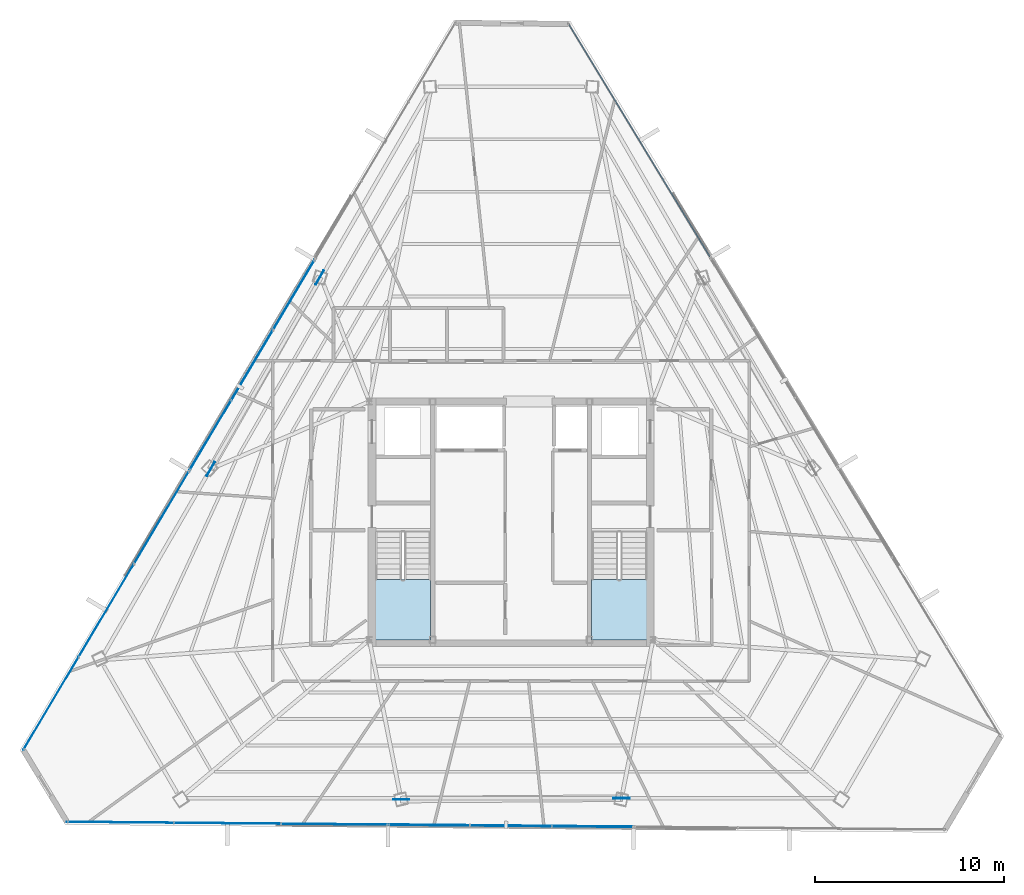
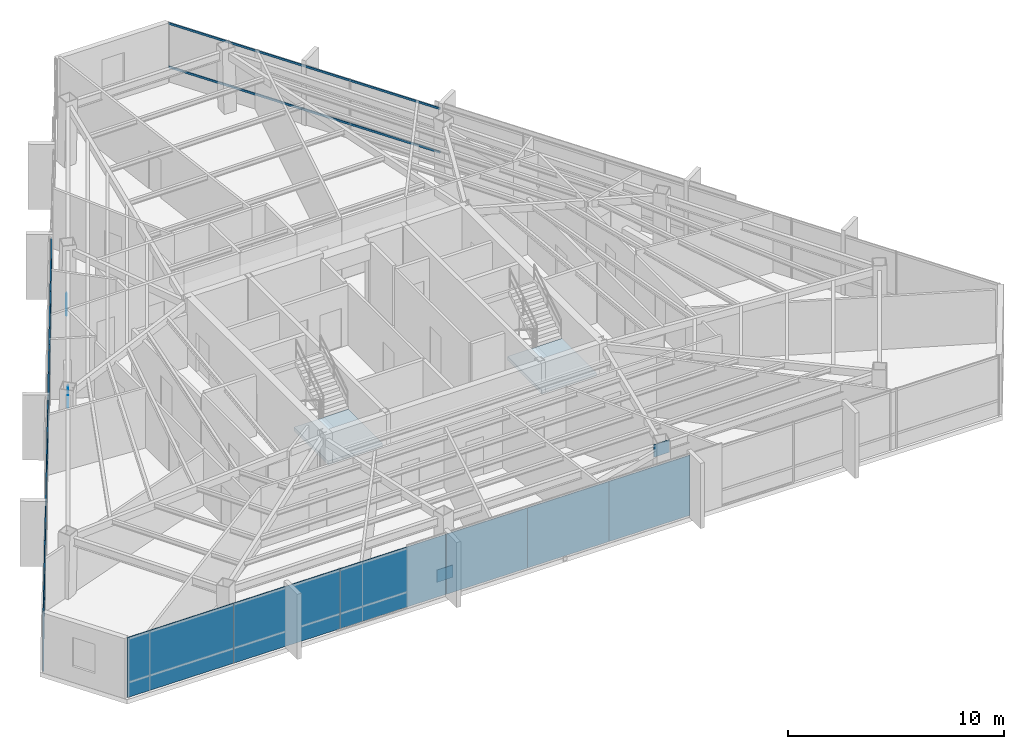
# One storey, part 37 of 46: 16 plates, 2 members, 2 slabs, 7 elements without a shape of their own.
"""IFC4 building model written with IfcOpenShell, lengths in metres."""

from ifc_helpers import new_model, si_unit, direction, frame, origin, origin_2d, place, context, subcontext, project, spatial, polyline, rectangle, hollow_rectangle, outline, extrude, source, transform, mapped, material, layer, layer_set, material_profile, profile_set, type_object, type_shapes, element, aggregate, save


model = new_model("IFC4")

# Units and contexts
model_context = context("Model", 3, precision=1e-05, world=origin(), true_north=direction((0.0, 1.0)))
body_context = subcontext(model_context, "Body", "Model", "MODEL_VIEW")
ifc_project = project(units=[si_unit("LENGTHUNIT", "METRE"), si_unit("AREAUNIT", "SQUARE_METRE"), si_unit("VOLUMEUNIT", "CUBIC_METRE"), si_unit("PLANEANGLEUNIT", "RADIAN"), si_unit("MASSUNIT", "GRAM", prefix="KILO")], contexts=[model_context])

# Site, building, storey
site_placement = place(None, origin())
site = spatial("IfcSite", under=ifc_project, at=site_placement, CompositionType="ELEMENT")
building_placement = place(site_placement, origin())
building = spatial("IfcBuilding", under=site, at=building_placement, Name="Caelisora Broadcast Tower", CompositionType="ELEMENT")
storey_placement = place(building_placement, frame((0.0, 0.0, 237.14990234375)))
storey = spatial("IfcBuildingStorey", under=building, at=storey_placement, Name="L62", CompositionType="ELEMENT", Elevation=237.14990234375)

# Curtain wall, members
ifc_material_1 = material(Name="Unitised Aluminium and Low-E Glass Curtain Wall", Category="glass")
curtain_wall_type_1 = type_object("IfcCurtainWallType", Name="CW-Z5", PredefinedType="NOTDEFINED", material=ifc_material_1)
curtain_wall_1_placement = place(storey_placement, origin())
curtain_wall_1 = element("IfcCurtainWall", 1, at=curtain_wall_1_placement, inside=storey, type_object=curtain_wall_type_1, Name="L62 curtain wall CW-Z5", PredefinedType="NOTDEFINED")
ifc_material_2 = material(Name="Aluminium 6063-T6 Anodised Terracotta Bronze", Category="aluminium")
ifc_material_profile = material_profile(ifc_material_2, hollow_rectangle(XDim=0.06005859375, YDim=0.1201171875, WallThickness=0.0029296875, at=origin_2d()), Name="Aluminium 6063-T6 Anodised Terracotta Bronze")
ifc_profile_set = profile_set([ifc_material_profile], Name="Aluminium 6063-T6 Anodised Terracotta Bronze")
member_type = type_object("IfcMemberType", Name="CWT-03", PredefinedType="USERDEFINED", material=ifc_profile_set)
shared_shape_1 = source(origin(), body_context, "Body", "SweptSolid", [
    extrude(hollow_rectangle(XDim=0.06005859375, YDim=0.1201171875, WallThickness=0.0029296875, at=origin_2d()), origin(), (0.0, 0.0, 1.0), 14.357666015625),
])
type_shapes(member_type, [shared_shape_1])
member_1_placement = place(storey_placement, frame((41.06396484375, 49.92724609375, 0.85009765625), z_axis=(0.518573401186, -0.855033114904, 0.0), x_axis=(0.855033114904, 0.518573401186, 0.0)))
member_1 = element("IfcMember", 2, at=member_1_placement, type_object=member_type, Name="L62-CW-B01 transom #1", ObjectType="TRANSOM", PredefinedType="USERDEFINED", context=body_context, shape_type="MappedRepresentation", body=[
    mapped(shared_shape_1, transform((0.0, 0.0, 0.0), scale=1.0)),
])
member_2_placement = place(storey_placement, frame((41.06396484375, 49.92724609375, 3.320068359375), z_axis=(0.518573401186, -0.855033114904, 0.0), x_axis=(0.855033114904, 0.518573401186, 0.0)))
member_2 = element("IfcMember", 3, at=member_2_placement, type_object=member_type, Name="L62-CW-B01 transom #2", ObjectType="TRANSOM", PredefinedType="USERDEFINED", context=body_context, shape_type="MappedRepresentation", body=[
    mapped(shared_shape_1, transform((0.0, 0.0, 0.0), scale=1.0)),
])
aggregate(curtain_wall_1, [member_1, member_2])

# Stair, slab
ifc_material_3 = material(Name="Concrete 40 MPa (AS 3600 N40)", Category="concrete")
stair_type_1 = type_object("IfcStairType", Name="ST-1", PredefinedType="HALF_TURN_STAIR", material=ifc_material_3)
stair_1_placement = place(storey_placement, origin())
stair_1 = element("IfcStair", 4, at=stair_1_placement, inside=storey, type_object=stair_type_1, Name="L62 West Fire-Isolated Tower Stair", PredefinedType="HALF_TURN_STAIR")
ifc_layer_1 = layer(ifc_material_3, 0.199951171875, Name="Concrete 40 MPa (AS 3600 N40)")
ifc_layer_set_1 = layer_set([ifc_layer_1], Name="Concrete 40 MPa (AS 3600 N40)")
slab_type = type_object("IfcSlabType", Name="STL-1", PredefinedType="LANDING", material=ifc_layer_set_1)
slab_1_placement = place(storey_placement, frame((0.0, 0.0, 1.625)))
slab_1 = element("IfcSlab", 5, at=slab_1_placement, type_object=slab_type, Name="ST-1 landing 1", PredefinedType="LANDING", context=body_context, shape_type="SweptSolid", body=[
    extrude(outline(polyline([(30.820068359375, 20.580078125), (30.820068359375, 17.39990234375), (33.739990234375, 17.39990234375), (33.739990234375, 20.580078125), (30.820068359375, 20.580078125)])), origin(), (0.0, 0.0, 1.0), 0.2001953125),
])
aggregate(stair_1, [slab_1])

stair_type_2 = type_object("IfcStairType", Name="ST-2", PredefinedType="HALF_TURN_STAIR", material=ifc_material_3)
stair_2_placement = place(storey_placement, origin())
stair_2 = element("IfcStair", 6, at=stair_2_placement, inside=storey, type_object=stair_type_2, Name="L62 East Fire-Isolated Tower Stair", PredefinedType="HALF_TURN_STAIR")
slab_2_placement = place(storey_placement, frame((0.0, 0.0, 1.625)))
slab_2 = element("IfcSlab", 7, at=slab_2_placement, type_object=slab_type, Name="ST-2 landing 1", PredefinedType="LANDING", context=body_context, shape_type="SweptSolid", body=[
    extrude(outline(polyline([(42.260009765625, 20.580078125), (42.260009765625, 17.39990234375), (45.179931640625, 17.39990234375), (45.179931640625, 20.580078125), (42.260009765625, 20.580078125)])), origin(), (0.0, 0.0, 1.0), 0.2001953125),
])
aggregate(stair_2, [slab_2])

# Plates
ifc_material_4 = material(Name="Steel Grade 350 L15 (AS/NZS 3678)", Category="steel")
ifc_layer_2 = layer(ifc_material_4, 0.0400390625, Name="Steel Grade 350 L15 (AS/NZS 3678)")
ifc_layer_set_2 = layer_set([ifc_layer_2], Name="Steel Grade 350 L15 (AS/NZS 3678)")
plate_type_1 = type_object("IfcPlateType", Name="GP04", PredefinedType="USERDEFINED", material=ifc_layer_set_2)
shared_shape_2 = source(origin(), body_context, "Body", "SweptSolid", [
    extrude(rectangle(XDim=0.85009765625, YDim=0.0400390625, at=origin_2d()), origin(), (0.0, 0.0, 1.0), 0.699951171875),
])
type_shapes(plate_type_1, [shared_shape_2])
for number, where, z_axis, x_axis, name in (
    (8, (27.8759765625, 36.5634765625, -0.22998046875), (0.0, 0.0, 1.0), (-0.5, -0.866025403784, 0.0), "L62 gusset plate GP04 (ND-L62-C02B)"),
    (9, (22.1123046875, 26.435546875, 2.72998046875), (0.0, 0.0, 1.0), (-0.5, -0.866025403784, 0.0), "L62 gusset plate GP04 (ND-L62-C03T)"),
    (10, (32.181884765625, 8.95068359375, -0.22998046875), (0.0, 0.0, 1.0), (1.0, 0.0, 0.0), "L62 gusset plate GP04 (ND-L62-C06B)"),
    (11, (43.834716796875, 9.02294921875, 2.72998046875), (0.0, 0.0, 1.0), (1.0, 0.0, 0.0), "L62 gusset plate GP04 (ND-L62-C07T)"),
):
    element("IfcPlate", number, at=place(storey_placement, frame(where, z_axis=z_axis, x_axis=x_axis)), inside=storey, type_object=plate_type_1, Name=name, ObjectType="GUSSET PLATE", PredefinedType="USERDEFINED", context=body_context, shape_type="MappedRepresentation", body=[
        mapped(shared_shape_2, transform((0.0, 0.0, 0.0), scale=1.0)),
    ])

# Curtain wall, plates
ifc_material_5 = material(Name="Unitised Aluminium Insulated Shadow-Box Spandrel Curtain Wall", Category="aluminium")
curtain_wall_type_2 = type_object("IfcCurtainWallType", Name="CW-SP3", PredefinedType="NOTDEFINED", material=ifc_material_5)
curtain_wall_2_placement = place(storey_placement, origin())
curtain_wall_2 = element("IfcCurtainWall", 12, at=curtain_wall_2_placement, inside=storey, type_object=curtain_wall_type_2, Name="L62 curtain wall CW-SP3", PredefinedType="NOTDEFINED")
ifc_material_6 = material(Name="Insulated Terracotta Shadow-Box Spandrel Panel", Category="aluminium")
ifc_layer_3 = layer(ifc_material_6, 0.0439453125, Name="Insulated Terracotta Shadow-Box Spandrel Panel")
ifc_layer_set_3 = layer_set([ifc_layer_3], Name="Insulated Terracotta Shadow-Box Spandrel Panel")
plate_type_2 = type_object("IfcPlateType", Name="CWP-10", PredefinedType="CURTAIN_PANEL", material=ifc_layer_set_3)
shared_shape_3 = source(origin(), body_context, "Body", "SweptSolid", [
    extrude(rectangle(XDim=4.3251953125, YDim=0.0439453125, at=origin_2d()), origin(), (0.0, 0.0, 1.0), 3.39990234375),
])
type_shapes(plate_type_2, [shared_shape_3])
plate_1_placement = place(storey_placement, frame((42.312744140625, 7.5234375, 0.000244140625), z_axis=(0.0, 0.0, 1.0), x_axis=(-0.999960384766, 0.008901061644, 0.0)))
plate_1 = element("IfcPlate", 13, at=plate_1_placement, type_object=plate_type_2, Name="L62-CW-B06 spandrel panel #1", PredefinedType="CURTAIN_PANEL", context=body_context, shape_type="MappedRepresentation", body=[
    mapped(shared_shape_3, transform((0.0, 0.0, 0.0), scale=1.0)),
])
plate_2_placement = place(storey_placement, frame((37.987548828125, 7.562255859375, 0.000244140625), z_axis=(0.0, 0.0, 1.0), x_axis=(-0.999960384766, 0.008901061644, 0.0)))
plate_2 = element("IfcPlate", 14, at=plate_2_placement, type_object=plate_type_2, Name="L62-CW-B06 spandrel panel #2", PredefinedType="CURTAIN_PANEL", context=body_context, shape_type="MappedRepresentation", body=[
    mapped(shared_shape_3, transform((0.0, 0.0, 0.0), scale=1.0)),
])
plate_3_placement = place(storey_placement, frame((33.66259765625, 7.600830078125, 0.000244140625), z_axis=(0.0, 0.0, 1.0), x_axis=(-0.999960384766, 0.008901061644, 0.0)))
plate_3 = element("IfcPlate", 15, at=plate_3_placement, type_object=plate_type_2, Name="L62-CW-B06 spandrel panel #3", PredefinedType="CURTAIN_PANEL", context=body_context, shape_type="MappedRepresentation", body=[
    mapped(shared_shape_3, transform((0.0, 0.0, 0.0), scale=1.0)),
])
aggregate(curtain_wall_2, [plate_1, plate_2, plate_3])

curtain_wall_3_placement = place(storey_placement, origin())
curtain_wall_3 = element("IfcCurtainWall", 16, at=curtain_wall_3_placement, inside=storey, type_object=curtain_wall_type_2, Name="L62 curtain wall CW-SP3", PredefinedType="NOTDEFINED")
plate_4_placement = place(storey_placement, frame((22.089111328125, 28.20361328125, 0.000244140625), z_axis=(0.0, 0.0, 1.0), x_axis=(0.510993065504, 0.859584834096, 0.0)))
plate_4 = element("IfcPlate", 17, at=plate_4_placement, type_object=plate_type_2, Name="L62-CW-B10 spandrel panel #1", PredefinedType="CURTAIN_PANEL", context=body_context, shape_type="MappedRepresentation", body=[
    mapped(shared_shape_3, transform((0.0, 0.0, 0.0), scale=1.0)),
])
plate_5_placement = place(storey_placement, frame((24.299072265625, 31.921630859375, 0.000244140625), z_axis=(0.0, 0.0, 1.0), x_axis=(0.510993065504, 0.859584834096, 0.0)))
plate_5 = element("IfcPlate", 18, at=plate_5_placement, type_object=plate_type_2, Name="L62-CW-B10 spandrel panel #2", PredefinedType="CURTAIN_PANEL", context=body_context, shape_type="MappedRepresentation", body=[
    mapped(shared_shape_3, transform((0.0, 0.0, 0.0), scale=1.0)),
])
plate_6_placement = place(storey_placement, frame((26.5087890625, 35.6396484375, 0.000244140625), z_axis=(0.0, 0.0, 1.0), x_axis=(0.510993065504, 0.859584834096, 0.0)))
plate_6 = element("IfcPlate", 19, at=plate_6_placement, type_object=plate_type_2, Name="L62-CW-B10 spandrel panel #3", PredefinedType="CURTAIN_PANEL", context=body_context, shape_type="MappedRepresentation", body=[
    mapped(shared_shape_3, transform((0.0, 0.0, 0.0), scale=1.0)),
])
aggregate(curtain_wall_3, [plate_4, plate_5, plate_6])

curtain_wall_4_placement = place(storey_placement, origin())
curtain_wall_4 = element("IfcCurtainWall", 20, at=curtain_wall_4_placement, inside=storey, type_object=curtain_wall_type_1, Name="L62 curtain wall CW-Z5", PredefinedType="NOTDEFINED")
ifc_material_7 = material(Name="Double Glazed Low-E Argon IGU", Category="glass")
ifc_layer_4 = layer(ifc_material_7, 0.028076171875, Name="Double Glazed Low-E Argon IGU")
ifc_layer_set_4 = layer_set([ifc_layer_4], Name="Double Glazed Low-E Argon IGU")
plate_type_3 = type_object("IfcPlateType", Name="CWP-06", PredefinedType="CURTAIN_PANEL", material=ifc_layer_set_4)
shared_shape_4 = source(origin(), body_context, "Body", "SweptSolid", [
    extrude(rectangle(XDim=5.661865234375, YDim=0.028076171875, at=origin_2d()), origin(), (0.0, 0.0, 1.0), 3.39990234375),
])
plate_7_placement = place(storey_placement, frame((28.6591796875, 7.6455078125, 0.000244140625), z_axis=(0.0, 0.0, 1.0), x_axis=(-0.999960384766, 0.008901061644, 0.0)))
plate_7 = element("IfcPlate", 21, at=plate_7_placement, type_object=plate_type_3, Name="L62-CW-B07 glazed panel #1", PredefinedType="CURTAIN_PANEL", context=body_context, shape_type="MappedRepresentation", body=[
    mapped(shared_shape_4, transform((0.0, 0.0, 0.0), scale=1.0)),
])
plate_8_placement = place(storey_placement, frame((22.997314453125, 7.696044921875, 0.000244140625), z_axis=(0.0, 0.0, 1.0), x_axis=(-0.999960384766, 0.008901061644, 0.0)))
plate_8 = element("IfcPlate", 22, at=plate_8_placement, type_object=plate_type_3, Name="L62-CW-B07 glazed panel #2", PredefinedType="CURTAIN_PANEL", context=body_context, shape_type="MappedRepresentation", body=[
    mapped(shared_shape_4, transform((0.0, 0.0, 0.0), scale=1.0)),
])
plate_9_placement = place(storey_placement, frame((17.335693359375, 7.74658203125, 0.000244140625), z_axis=(0.0, 0.0, 1.0), x_axis=(-0.999960384766, 0.008901061644, 0.0)))
plate_9 = element("IfcPlate", 23, at=plate_9_placement, type_object=plate_type_3, Name="L62-CW-B07 glazed panel #3", PredefinedType="CURTAIN_PANEL", context=body_context, shape_type="MappedRepresentation", body=[
    mapped(shared_shape_4, transform((0.0, 0.0, 0.0), scale=1.0)),
])
aggregate(curtain_wall_4, [plate_7, plate_8, plate_9])

curtain_wall_5_placement = place(storey_placement, origin())
curtain_wall_5 = element("IfcCurtainWall", 24, at=curtain_wall_5_placement, inside=storey, type_object=curtain_wall_type_1, Name="L62 curtain wall CW-Z5", PredefinedType="NOTDEFINED")
shared_shape_5 = source(origin(), body_context, "Body", "SweptSolid", [
    extrude(rectangle(XDim=5.726318359375, YDim=0.028076171875, at=origin_2d()), origin(), (0.0, 0.0, 1.0), 3.39990234375),
])
type_shapes(plate_type_3, [shared_shape_4, shared_shape_5])
plate_10_placement = place(storey_placement, frame((13.664794921875, 14.0302734375, 0.000244140625), z_axis=(0.0, 0.0, 1.0), x_axis=(0.510993065504, 0.859584834096, 0.0)))
plate_10 = element("IfcPlate", 25, at=plate_10_placement, type_object=plate_type_3, Name="L62-CW-B09 glazed panel #1", PredefinedType="CURTAIN_PANEL", context=body_context, shape_type="MappedRepresentation", body=[
    mapped(shared_shape_5, transform((0.0, 0.0, 0.0), scale=1.0)),
])
plate_11_placement = place(storey_placement, frame((16.590576171875, 18.952392578125, 0.000244140625), z_axis=(0.0, 0.0, 1.0), x_axis=(0.510993065504, 0.859584834096, 0.0)))
plate_11 = element("IfcPlate", 26, at=plate_11_placement, type_object=plate_type_3, Name="L62-CW-B09 glazed panel #2", PredefinedType="CURTAIN_PANEL", context=body_context, shape_type="MappedRepresentation", body=[
    mapped(shared_shape_5, transform((0.0, 0.0, 0.0), scale=1.0)),
])
plate_12_placement = place(storey_placement, frame((19.516357421875, 23.875, 0.000244140625), z_axis=(0.0, 0.0, 1.0), x_axis=(0.510993065504, 0.859584834096, 0.0)))
plate_12 = element("IfcPlate", 27, at=plate_12_placement, type_object=plate_type_3, Name="L62-CW-B09 glazed panel #3", PredefinedType="CURTAIN_PANEL", context=body_context, shape_type="MappedRepresentation", body=[
    mapped(shared_shape_5, transform((0.0, 0.0, 0.0), scale=1.0)),
])
aggregate(curtain_wall_5, [plate_10, plate_11, plate_12])

save(model, "model.ifc")
